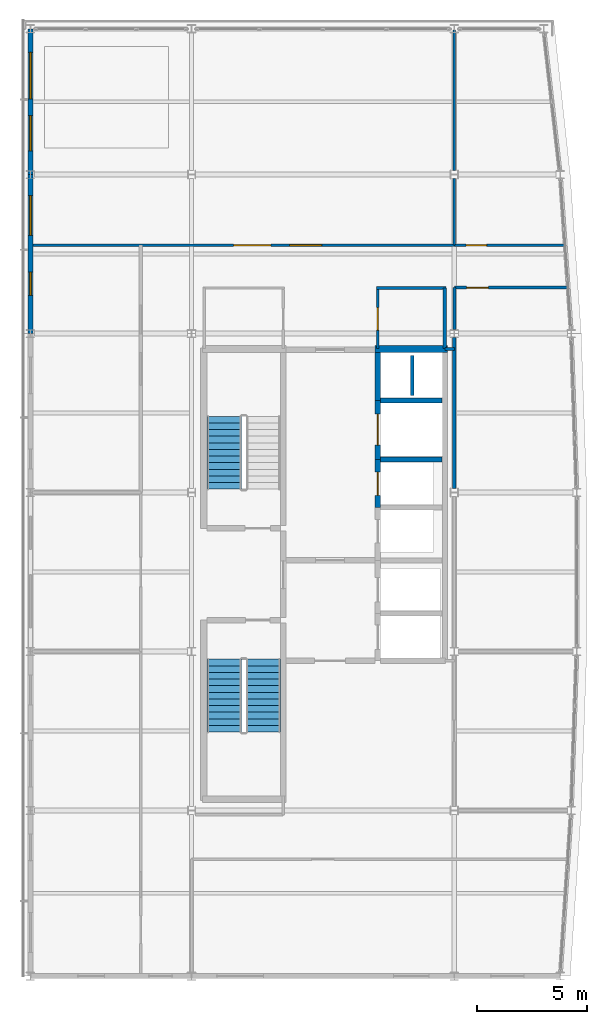
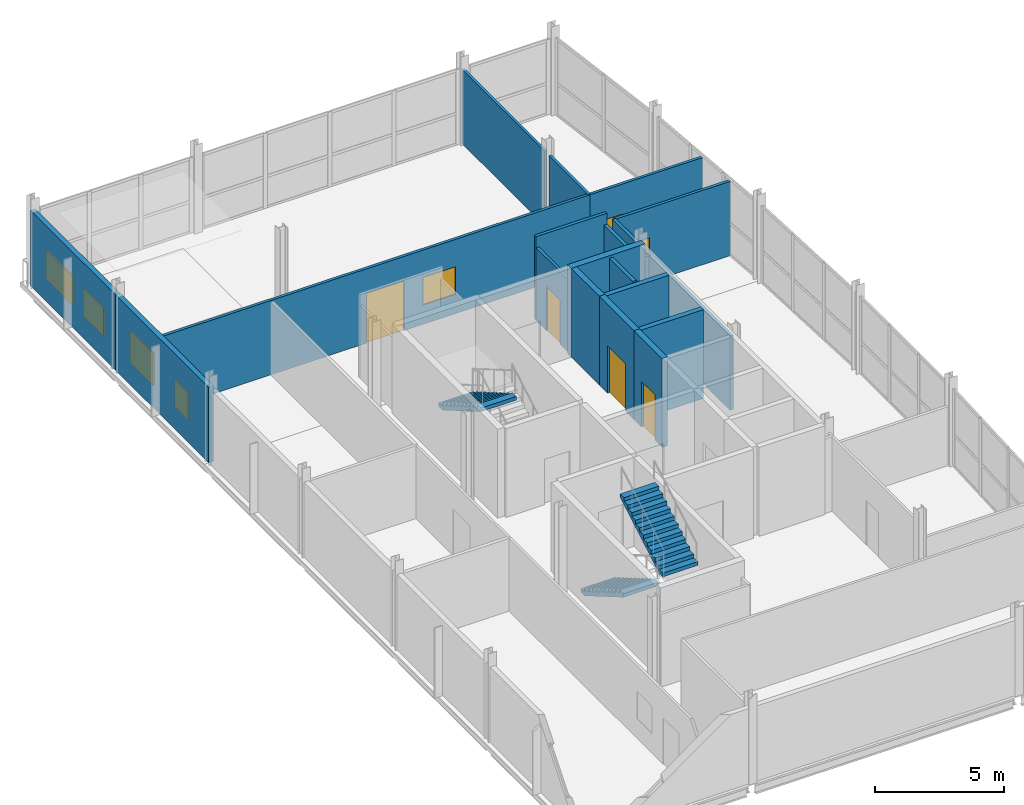
# One storey, part 13 of 17: 20 walls, 6 doors, 5 windows, 3 stair flights, 11 openings, 2 elements without a shape of their own.
"""IFC4 building model written with IfcOpenShell, lengths in metres."""

import ifcopenshell
import ifcopenshell.guid

model = None  # the IFC model being written
_history = None  # IfcOwnerHistory: only IFC2X3 demands one
_inside = {}  # id of a spatial element -> (the spatial element, [elements in it])
_under = {}  # id of a project, library or spatial element -> (it, [spatial elements below it])
_declared = {}  # id of a project -> (the project, [libraries it declares])
_typed = {}  # id of a type object -> (the type object, [elements of that type])
_made_of = {}  # id of a material, layer set ... -> (it, [elements and type objects made of it])


def new_model(schema):
    """Start an empty IFC model of exactly this schema.

    Asked for "IFC4X3", IfcOpenShell would pick the latest addendum, in which some entities
    have other attributes; the version numbers below select the first issue.
    IFC2X3 requires an IfcOwnerHistory on every rooted entity: one is made here for all.
    """
    global model, _history
    if schema == "IFC4X3":
        model = ifcopenshell.file(schema_version=(4, 3, 0, 0))
    else:
        model = ifcopenshell.file(schema=schema)
    _inside.clear()
    _under.clear()
    _declared.clear()
    _typed.clear()
    _made_of.clear()
    _history = None
    if model.schema == "IFC2X3":
        org = make("IfcOrganization", Name="unknown")
        user = make(
            "IfcPersonAndOrganization",
            ThePerson=make("IfcPerson", FamilyName="unknown"),
            TheOrganization=org,
        )
        app = make(
            "IfcApplication",
            ApplicationDeveloper=org,
            Version="unknown",
            ApplicationFullName="unknown",
            ApplicationIdentifier="unknown",
        )
        _history = make(
            "IfcOwnerHistory",
            OwningUser=user,
            OwningApplication=app,
            ChangeAction="ADDED",
            CreationDate=0,
        )
    return model


def make(cls, **values):
    """One entity of the class cls with the attributes given. An attribute that is None is left unset."""
    return model.create_entity(
        cls, **{name: value for name, value in values.items() if value is not None}
    )


def rooted(cls, **values):
    """An entity with a GlobalId (a new one), such as an element, a storey or a relation."""
    return make(cls, GlobalId=ifcopenshell.guid.new(), OwnerHistory=_history, **values)


def si_unit(unit_type, name, prefix=None):
    """IfcSIUnit, for example si_unit("LENGTHUNIT", "METRE", prefix="MILLI")."""
    return make("IfcSIUnit", UnitType=unit_type, Prefix=prefix, Name=name)


def assignment(units):
    """IfcUnitAssignment: the units of a project."""
    return None if units is None else make("IfcUnitAssignment", Units=units)


def point(xyz):
    """IfcCartesianPoint."""
    return None if xyz is None else make("IfcCartesianPoint", Coordinates=xyz)


def direction(xyz):
    """IfcDirection."""
    return None if xyz is None else make("IfcDirection", DirectionRatios=xyz)


def frame(location, z_axis=None, x_axis=None):
    """IfcAxis2Placement3D, a coordinate frame: its origin and axes. An axis left out is left unset."""
    return make(
        "IfcAxis2Placement3D",
        Location=point(location),
        Axis=direction(z_axis),
        RefDirection=direction(x_axis),
    )


def frame_2d(location, x_axis=None):
    """IfcAxis2Placement2D, a coordinate frame in the plane: its origin and x axis."""
    return make(
        "IfcAxis2Placement2D", Location=point(location), RefDirection=direction(x_axis)
    )


def origin():
    """The frame at (0, 0, 0) with its axes left unset."""
    return frame((0.0, 0.0, 0.0))


def place(relative_to, where):
    """IfcLocalPlacement: puts the frame where relative to a parent placement (None: the world)."""
    return make(
        "IfcLocalPlacement", PlacementRelTo=relative_to, RelativePlacement=where
    )


def context(
    kind, dimensions, precision=None, world=None, true_north=None, identifier=None
):
    """IfcGeometricRepresentationContext, for example the 3D "Model" context."""
    return make(
        "IfcGeometricRepresentationContext",
        ContextIdentifier=identifier,
        ContextType=kind,
        CoordinateSpaceDimension=dimensions,
        Precision=precision,
        WorldCoordinateSystem=world,
        TrueNorth=true_north,
    )


def subcontext(parent, identifier, kind, view, scale=None):
    """IfcGeometricRepresentationSubContext, for example "Body" below "Model"."""
    return make(
        "IfcGeometricRepresentationSubContext",
        ContextIdentifier=identifier,
        ContextType=kind,
        ParentContext=parent,
        TargetScale=scale,
        TargetView=view,
    )


def project(units=None, contexts=None):
    """IfcProject with its units and contexts."""
    return rooted(
        "IfcProject",
        Name="project",
        RepresentationContexts=contexts,
        UnitsInContext=assignment(units),
    )


def spatial(cls, under=None, at=None, **own):
    """A site, building, storey or space (cls), placed at a placement, below another one or the project."""
    s = rooted(cls, ObjectPlacement=at, **own)
    if under is not None:
        _under.setdefault(under.id(), (under, []))[1].append(s)
    return s


def polyline(points):
    """IfcPolyline through the points."""
    return make("IfcPolyline", Points=[point(p) for p in points])


def profile(cls, at=None, kind="AREA", **sizes):
    """A parametric profile (cls). Its sizes go by their IFC names, for example OverallWidth=200.0."""
    return make(cls, ProfileType=kind, Position=at, **sizes)


def rectangle(**sizes):
    """IfcRectangleProfileDef."""
    return profile("IfcRectangleProfileDef", **sizes)


def outline(outer, holes=None, kind="AREA"):
    """IfcArbitraryClosedProfileDef: a profile drawn as a closed curve; with holes, ...WithVoids."""
    if holes is None:
        return make("IfcArbitraryClosedProfileDef", ProfileType=kind, OuterCurve=outer)
    return make(
        "IfcArbitraryProfileDefWithVoids",
        ProfileType=kind,
        OuterCurve=outer,
        InnerCurves=holes,
    )


def extrude(swept, where, along, depth):
    """IfcExtrudedAreaSolid: the profile swept, set in the frame where, extruded along a direction by depth."""
    return make(
        "IfcExtrudedAreaSolid",
        SweptArea=swept,
        Position=where,
        ExtrudedDirection=direction(along),
        Depth=depth,
    )


def shape(context_of_items, identifier, shape_type, items):
    """IfcShapeRepresentation: the items that make up one representation, for example the "Body"."""
    return make(
        "IfcShapeRepresentation",
        ContextOfItems=context_of_items,
        RepresentationIdentifier=identifier,
        RepresentationType=shape_type,
        Items=items,
    )


def material(Name=None, Category=None):
    """IfcMaterial."""
    return make("IfcMaterial", Name=Name, Category=Category)


def layer(
    of_material, thickness, ventilated=None, Name=None, Category=None, Priority=None
):
    """IfcMaterialLayer: one layer of a wall or slab, of a material (None: an air gap)."""
    return make(
        "IfcMaterialLayer",
        Material=of_material,
        LayerThickness=thickness,
        IsVentilated=ventilated,
        Name=Name,
        Category=Category,
        Priority=Priority,
    )


def layer_set(layers, Name=None):
    """IfcMaterialLayerSet."""
    return make("IfcMaterialLayerSet", MaterialLayers=layers, LayerSetName=Name)


def made_of(thing, what):
    """Note that an element or type object is made of a material, layer set ...; save() writes the relation."""
    if what is not None:
        _made_of.setdefault(what.id(), (what, []))[1].append(thing)
    return thing


def type_object(cls, material=None, **own):
    """A type object (cls), such as IfcWallType, which elements share."""
    return made_of(rooted(cls, **own), material)


def element(
    cls,
    number,
    at=None,
    inside=None,
    cuts=None,
    type_object=None,
    material=None,
    context=None,
    identifier="Body",
    shape_type=None,
    held_by="IfcProductDefinitionShape",
    body=None,
    shapes=None,
    **own,
):
    """One element of the class cls, such as IfcWall. Its Tag is "e" and its number.

    at: its placement. inside: the storey or other place that contains it. cuts: it is an
    opening in that element (IfcRelVoidsElement). A single representation is given by context,
    identifier, shape_type and body (its items); several are given by shapes. held_by: the class
    of the entity that holds the representations. save() writes the other relations.
    """
    e = rooted(cls, Tag="e%d" % number, ObjectPlacement=at, **own)
    if body is not None:
        shapes = [shape(context, identifier, shape_type, body)]
    if shapes is not None:
        e.Representation = make(held_by, Representations=shapes)
    if inside is not None:
        _inside.setdefault(inside.id(), (inside, []))[1].append(e)
    if cuts is not None:
        rooted(
            "IfcRelVoidsElement", RelatingBuildingElement=cuts, RelatedOpeningElement=e
        )
    if type_object is not None:
        _typed.setdefault(type_object.id(), (type_object, []))[1].append(e)
    return made_of(e, material)


def fill(opening, filler):
    """IfcRelFillsElement: the door or window that sits in an opening."""
    return rooted(
        "IfcRelFillsElement",
        RelatingOpeningElement=opening,
        RelatedBuildingElement=filler,
    )


def aggregate(whole, parts):
    """IfcRelAggregates: a whole, such as a stair, and the parts it consists of."""
    return rooted("IfcRelAggregates", RelatingObject=whole, RelatedObjects=parts)


def save(model, path):
    """Write the relations noted so far, then the file.

    IfcRelAggregates (storeys below a building ...), IfcRelContainedInSpatialStructure (elements
    in a storey), IfcRelDefinesByType, IfcRelAssociatesMaterial and IfcRelDeclares: one each for
    every whole, place, type object, material and project.
    """
    for whole, parts in _under.values():
        aggregate(whole, parts)
    for where, things in _inside.values():
        rooted(
            "IfcRelContainedInSpatialStructure",
            RelatedElements=things,
            RelatingStructure=where,
        )
    for kind, things in _typed.values():
        rooted("IfcRelDefinesByType", RelatedObjects=things, RelatingType=kind)
    for what, things in _made_of.values():
        rooted("IfcRelAssociatesMaterial", RelatedObjects=things, RelatingMaterial=what)
    for by, libraries in _declared.values():
        rooted("IfcRelDeclares", RelatingContext=by, RelatedDefinitions=libraries)
    model.write(path)


model = new_model("IFC4")

# Units and contexts
model_context = context("Model", 3, precision=1e-05, world=origin(), true_north=direction((0.0, 1.0)))
body_context = subcontext(model_context, "Body", "Model", "MODEL_VIEW")
ifc_project = project(units=[si_unit("LENGTHUNIT", "METRE"), si_unit("AREAUNIT", "SQUARE_METRE"), si_unit("VOLUMEUNIT", "CUBIC_METRE"), si_unit("PLANEANGLEUNIT", "RADIAN"), si_unit("MASSUNIT", "GRAM", prefix="KILO")], contexts=[model_context])

# Site, building, storey
site_placement = place(None, origin())
site = spatial("IfcSite", under=ifc_project, at=site_placement, CompositionType="ELEMENT")
building_placement = place(site_placement, origin())
building = spatial("IfcBuilding", under=site, at=building_placement, Name="Quillay Park Conservatory", CompositionType="ELEMENT")
storey_placement = place(building_placement, frame((0.0, 0.0, 56.10009765625)))
storey = spatial("IfcBuildingStorey", under=building, at=storey_placement, Name="L13", CompositionType="ELEMENT", Elevation=56.10009765625)

# Walls
ifc_material_1 = material(Name="Steel-Stud Acoustic Gypsum Board Partition", Category="steel")
ifc_layer_1 = layer(ifc_material_1, 0.110107421875)
ifc_layer_set_1 = layer_set([ifc_layer_1], Name="ACOUSTIC GYPSUM PARTITION 110 (Steel-Stud Acoustic Gypsum Board Partition)")
wall_type_1 = type_object("IfcWallType", Name="ACOUSTIC GYPSUM PARTITION 110", PredefinedType="PARTITIONING", material=ifc_layer_set_1)
wall_1_placement = place(storey_placement, frame((19.75, 113.35009765625, 0.0), z_axis=(0.0, 0.0, 1.0), x_axis=(0.0, -1.0, 0.0)))
element("IfcWall", 1, at=wall_1_placement, inside=storey, type_object=wall_type_1, Name="L13 North Divider 19 N", PredefinedType="PARTITIONING", context=body_context, shape_type="SweptSolid", body=[
    extrude(rectangle(XDim=6.37060546875, YDim=0.110107421875, at=frame_2d((3.185302734375, 0.0))), origin(), (0.0, 0.0, 1.0), 3.511962890625),
])
ifc_material_2 = material(Name="Steel-Stud Acoustic Gypsum Board Partition", Category="steel")
ifc_layer_2 = layer(ifc_material_2, 0.114990234375)
ifc_layer_set_2 = layer_set([ifc_layer_2], Name="ACOUSTIC GYPSUM PARTITION 115 (Steel-Stud Acoustic Gypsum Board Partition)")
wall_type_2 = type_object("IfcWallType", Name="ACOUSTIC GYPSUM PARTITION 115", PredefinedType="PARTITIONING", material=ifc_layer_set_2)
wall_2_placement = place(storey_placement, frame((19.75, 106.62060546875, 0.0), z_axis=(0.0, 0.0, 1.0), x_axis=(0.0, -1.0, 0.0)))
element("IfcWall", 2, at=wall_2_placement, inside=storey, type_object=wall_type_2, Name="L13 North Divider 19 S", PredefinedType="PARTITIONING", context=body_context, shape_type="SweptSolid", body=[
    extrude(rectangle(XDim=3.0205078125, YDim=0.114990234375, at=frame_2d((1.51025390625, 0.0))), origin(), (0.0, 0.0, 1.0), 3.511962890625),
])

# Wall, opening, door
ifc_material_3 = material(Name="Steel-Stud Acoustic Gypsum Board Partition", Category="steel")
ifc_layer_3 = layer(ifc_material_3, 0.1201171875)
ifc_layer_set_3 = layer_set([ifc_layer_3], Name="ACOUSTIC GYPSUM PARTITION 120 (Steel-Stud Acoustic Gypsum Board Partition)")
wall_type_3 = type_object("IfcWallType", Name="ACOUSTIC GYPSUM PARTITION 120", PredefinedType="PARTITIONING", material=ifc_layer_set_3)
wall_3_placement = place(storey_placement, frame((19.75, 103.60009765625, 0.0), z_axis=(0.0, 0.0, 1.0), x_axis=(1.0, 0.0, 0.0)))
wall_3 = element("IfcWall", 3, at=wall_3_placement, inside=storey, type_object=wall_type_3, Name="L13 L13 Digital Type-Specimen Gazetteer Room South Wall", PredefinedType="PARTITIONING", context=body_context, shape_type="SweptSolid", body=[
    extrude(rectangle(XDim=5.0400390625, YDim=0.1201171875, at=frame_2d((2.52001953125, 0.0))), origin(), (0.0, 0.0, 1.0), 3.511962890625),
])
opening_1_placement = place(wall_3_placement, frame((0.5400390625, 0.0, 0.0)))
opening_1 = element("IfcOpeningElement", 4, at=opening_1_placement, cuts=wall_3, Name="Opening D-RM01", PredefinedType="OPENING", context=body_context, shape_type="SweptSolid", body=[
    extrude(rectangle(XDim=0.919921875, YDim=2.10009765625, at=frame_2d((0.4599609375, 1.050048828125))), frame((0.0, 0.06005859375, 0.0), z_axis=(0.0, -1.0, 0.0), x_axis=(1.0, 0.0, 0.0)), (0.0, 0.0, 1.0), 0.1201171875),
])
ifc_material_4 = material(Name="Thermally Broken Anodised Aluminium 6063-T6", Category="aluminium")
door_type_1 = type_object("IfcDoorType", Name="SINGLE SWING DOOR 920 X2100", OperationType="NOTDEFINED", PredefinedType="DOOR", material=ifc_material_4)
door_1_placement = place(opening_1_placement, origin())
door_1 = element("IfcDoor", 5, at=door_1_placement, inside=storey, type_object=door_type_1, Name="L13 Door to L13 Digital Type-Specimen Gazetteer Room", OperationType="SINGLE_SWING_LEFT", OverallHeight=2.10009765625, OverallWidth=0.919921875, PredefinedType="DOOR", context=body_context, shape_type="SweptSolid", body=[
    extrude(rectangle(XDim=0.919921875, YDim=2.10009765625, at=frame_2d((0.4599609375, 1.050048828125))), frame((0.0, 0.02490234375, 0.0), z_axis=(0.0, -1.0, 0.0), x_axis=(1.0, 0.0, 0.0)), (0.0, 0.0, 1.0), 0.050048828125),
])
fill(opening_1, door_1)

# Wall
ifc_material_5 = material(Name="Steel-Stud Acoustic Gypsum Board Partition", Category="steel")
ifc_layer_4 = layer(ifc_material_5, 0.125)
ifc_layer_set_4 = layer_set([ifc_layer_4], Name="ACOUSTIC GYPSUM PARTITION 125 (Steel-Stud Acoustic Gypsum Board Partition)")
wall_type_4 = type_object("IfcWallType", Name="ACOUSTIC GYPSUM PARTITION 125", PredefinedType="PARTITIONING", material=ifc_layer_set_4)
wall_4_placement = place(storey_placement, frame((19.75, 98.89990234375, 0.0), z_axis=(0.0, 0.0, 1.0), x_axis=(-1.0, 0.0, 0.0)))
element("IfcWall", 6, at=wall_4_placement, inside=storey, type_object=wall_type_4, Name="L13 Core North-East Closure", PredefinedType="PARTITIONING", context=body_context, shape_type="SweptSolid", body=[
    extrude(rectangle(XDim=0.429931640625, YDim=0.125, at=frame_2d((0.21484375, 0.0))), origin(), (0.0, 0.0, 1.0), 3.511962890625),
])

# Wall, openings, window, door
wall_5_placement = place(storey_placement, frame((0.64990234375, 103.60009765625, 0.0), z_axis=(0.0, 0.0, 1.0), x_axis=(1.0, 0.0, 0.0)))
wall_5 = element("IfcWall", 7, at=wall_5_placement, inside=storey, type_object=wall_type_4, Name="L13 L13 Botanical Fellows GIS Cartography Studio South Wall", PredefinedType="PARTITIONING", context=body_context, shape_type="SweptSolid", body=[
    extrude(rectangle(XDim=19.10009765625, YDim=0.125, at=frame_2d((9.550048828125, 0.0))), origin(), (0.0, 0.0, 1.0), 3.511962890625),
])
opening_2_placement = place(wall_5_placement, frame((9.110107421875, 0.0, 0.0)))
opening_2 = element("IfcOpeningElement", 8, at=opening_2_placement, cuts=wall_5, Name="Opening D-RM38", PredefinedType="OPENING", context=body_context, shape_type="SweptSolid", body=[
    extrude(rectangle(XDim=1.679931640625, YDim=2.35009765625, at=frame_2d((0.83984375, 1.175048828125))), frame((0.0, 0.0625, 0.0), z_axis=(0.0, -1.0, 0.0), x_axis=(1.0, 0.0, 0.0)), (0.0, 0.0, 1.0), 0.125),
])
opening_3_placement = place(wall_5_placement, frame((11.639892578125, 0.0, 0.919921875)))
opening_3 = element("IfcOpeningElement", 9, at=opening_3_placement, cuts=wall_5, Name="Opening W-IN12", PredefinedType="OPENING", context=body_context, shape_type="SweptSolid", body=[
    extrude(rectangle(XDim=1.449951171875, YDim=1.300048828125, at=frame_2d((0.72509765625, 0.64990234375))), frame((0.0, 0.0625, 0.0), z_axis=(0.0, -1.0, 0.0), x_axis=(1.0, 0.0, 0.0)), (0.0, 0.0, 1.0), 0.125),
])
ifc_material_6 = material(Name="Low-E Double Glazing (Laminated Tempered)", Category="glass")
window_type_1 = type_object("IfcWindowType", Name="OPERABLE VENT WINDOW 1450 X1300", PartitioningType="SINGLE_PANEL", PredefinedType="WINDOW", material=ifc_material_6)
window_1_placement = place(opening_3_placement, origin())
window_1 = element("IfcWindow", 10, at=window_1_placement, inside=storey, type_object=window_type_1, Name="L13 Laboratory Vision Panel 048", OverallHeight=1.300048828125, OverallWidth=1.449951171875, PartitioningType="SINGLE_PANEL", PredefinedType="WINDOW", context=body_context, shape_type="SweptSolid", body=[
    extrude(rectangle(XDim=1.449951171875, YDim=1.300048828125, at=frame_2d((0.72509765625, 0.64990234375))), frame((0.0, 0.030029296875, 0.0), z_axis=(0.0, -1.0, 0.0), x_axis=(1.0, 0.0, 0.0)), (0.0, 0.0, 1.0), 0.06005859375),
])
fill(opening_3, window_1)
ifc_material_7 = material(Name="Thermally Broken Anodised Aluminium 6063-T6", Category="aluminium")
door_type_2 = type_object("IfcDoorType", Name="SINGLE SWING DOOR 1680 X2350", OperationType="NOTDEFINED", PredefinedType="DOOR", material=ifc_material_7)
door_2_placement = place(opening_2_placement, origin())
door_2 = element("IfcDoor", 11, at=door_2_placement, inside=storey, type_object=door_type_2, Name="L13 Door to L13 Botanical Fellows GIS Cartography Studio", OperationType="SINGLE_SWING_RIGHT", OverallHeight=2.35009765625, OverallWidth=1.679931640625, PredefinedType="DOOR", context=body_context, shape_type="SweptSolid", body=[
    extrude(rectangle(XDim=1.679931640625, YDim=2.35009765625, at=frame_2d((0.83984375, 1.175048828125))), frame((0.0, 0.02490234375, 0.0), z_axis=(0.0, -1.0, 0.0), x_axis=(1.0, 0.0, 0.0)), (0.0, 0.0, 1.0), 0.050048828125),
])
fill(opening_2, door_2)

# Wall, opening, door
ifc_material_8 = material(Name="Steel-Stud Acoustic Gypsum Board Partition", Category="steel")
ifc_layer_5 = layer(ifc_material_8, 0.1298828125)
ifc_layer_set_5 = layer_set([ifc_layer_5], Name="ACOUSTIC GYPSUM PARTITION 130 (Steel-Stud Acoustic Gypsum Board Partition)")
wall_type_5 = type_object("IfcWallType", Name="ACOUSTIC GYPSUM PARTITION 130", PredefinedType="PARTITIONING", material=ifc_layer_set_5)
wall_6_placement = place(storey_placement, frame((16.280029296875, 98.919921875, 0.0), z_axis=(0.0, 0.0, 1.0), x_axis=(0.0, 1.0, 0.0)))
wall_6 = element("IfcWall", 12, at=wall_6_placement, inside=storey, type_object=wall_type_5, Name="L13 Washroom Door Wall", PredefinedType="PARTITIONING", context=body_context, shape_type="SweptSolid", body=[
    extrude(rectangle(XDim=2.68017578125, YDim=0.1298828125, at=frame_2d((1.340087890625, 0.0))), origin(), (0.0, 0.0, 1.0), 3.435791015625),
])
opening_4_placement = place(wall_6_placement, frame((0.830078125, 0.0, 0.0)))
opening_4 = element("IfcOpeningElement", 13, at=opening_4_placement, cuts=wall_6, Name="Opening D-RM33", PredefinedType="OPENING", context=body_context, shape_type="SweptSolid", body=[
    extrude(rectangle(XDim=1.02001953125, YDim=2.080078125, at=frame_2d((0.510009765625, 1.0400390625))), frame((0.0, 0.06494140625, 0.0), z_axis=(0.0, -1.0, 0.0), x_axis=(1.0, 0.0, 0.0)), (0.0, 0.0, 1.0), 0.1298828125),
])
ifc_material_9 = material(Name="Thermally Broken Anodised Aluminium 6063-T6", Category="aluminium")
door_type_3 = type_object("IfcDoorType", Name="SINGLE SWING DOOR 1020 X2080", OperationType="NOTDEFINED", PredefinedType="DOOR", material=ifc_material_9)
door_3_placement = place(opening_4_placement, origin())
door_3 = element("IfcDoor", 14, at=door_3_placement, inside=storey, type_object=door_type_3, Name="L13 Door to L13 Restroom and Washroom", OperationType="SINGLE_SWING_RIGHT", OverallHeight=2.080078125, OverallWidth=1.02001953125, PredefinedType="DOOR", context=body_context, shape_type="SweptSolid", body=[
    extrude(rectangle(XDim=1.02001953125, YDim=2.080078125, at=frame_2d((0.510009765625, 1.0400390625))), frame((0.0, 0.02490234375, 0.0), z_axis=(0.0, -1.0, 0.0), x_axis=(1.0, 0.0, 0.0)), (0.0, 0.0, 1.0), 0.050048828125),
])
fill(opening_4, door_3)

wall_7_placement = place(storey_placement, frame((19.75, 101.679931640625, 0.0), z_axis=(0.0, 0.0, 1.0), x_axis=(1.0, 0.0, 0.0)))
wall_7 = element("IfcWall", 15, at=wall_7_placement, inside=storey, type_object=wall_type_5, Name="L13 L13 Remote Sensing Phenology Laboratory North Door Wall", PredefinedType="PARTITIONING", context=body_context, shape_type="SweptSolid", body=[
    extrude(rectangle(XDim=5.1650390625, YDim=0.1298828125, at=frame_2d((2.58251953125, 0.0))), origin(), (0.0, 0.0, 1.0), 3.511962890625),
])
opening_5_placement = place(wall_7_placement, frame((0.56005859375, 0.0, 0.0)))
opening_5 = element("IfcOpeningElement", 16, at=opening_5_placement, cuts=wall_7, Name="Opening D-RM03", PredefinedType="OPENING", context=body_context, shape_type="SweptSolid", body=[
    extrude(rectangle(XDim=0.97998046875, YDim=2.10009765625, at=frame_2d((0.489990234375, 1.050048828125))), frame((0.0, 0.06494140625, 0.0), z_axis=(0.0, -1.0, 0.0), x_axis=(1.0, 0.0, 0.0)), (0.0, 0.0, 1.0), 0.1298828125),
])
ifc_material_10 = material(Name="Thermally Broken Anodised Aluminium 6063-T6", Category="aluminium")
door_type_4 = type_object("IfcDoorType", Name="SINGLE SWING DOOR 980 X2100", OperationType="NOTDEFINED", PredefinedType="DOOR", material=ifc_material_10)
door_4_placement = place(opening_5_placement, origin())
door_4 = element("IfcDoor", 17, at=door_4_placement, inside=storey, type_object=door_type_4, Name="L13 Door to L13 Remote Sensing Phenology Laboratory", OperationType="SINGLE_SWING_LEFT", OverallHeight=2.10009765625, OverallWidth=0.97998046875, PredefinedType="DOOR", context=body_context, shape_type="SweptSolid", body=[
    extrude(rectangle(XDim=0.97998046875, YDim=2.10009765625, at=frame_2d((0.489990234375, 1.050048828125))), frame((0.0, 0.02490234375, 0.0), z_axis=(0.0, -1.0, 0.0), x_axis=(1.0, 0.0, 0.0)), (0.0, 0.0, 1.0), 0.050048828125),
])
fill(opening_5, door_4)

# Walls
ifc_material_11 = material(Name="Steel-Stud Acoustic Gypsum Board Partition", Category="steel")
ifc_layer_6 = layer(ifc_material_11, 0.139892578125)
ifc_layer_set_6 = layer_set([ifc_layer_6], Name="ACOUSTIC GYPSUM PARTITION 140 (Steel-Stud Acoustic Gypsum Board Partition)")
wall_type_6 = type_object("IfcWallType", Name="ACOUSTIC GYPSUM PARTITION 140", PredefinedType="PARTITIONING", material=ifc_layer_set_6)
wall_8_placement = place(storey_placement, frame((19.3798828125, 101.659912109375, 0.0), z_axis=(0.0, 0.0, 1.0), x_axis=(-1.0, 0.0, 0.0)))
element("IfcWall", 18, at=wall_8_placement, inside=storey, type_object=wall_type_6, Name="L13 Washroom North Wall", PredefinedType="PARTITIONING", context=body_context, shape_type="SweptSolid", body=[
    extrude(rectangle(XDim=3.159912109375, YDim=0.139892578125, at=frame_2d((1.580078125, 0.0))), origin(), (0.0, 0.0, 1.0), 3.949951171875),
])
wall_9_placement = place(storey_placement, frame((19.75, 99.77294921875, 0.0), z_axis=(0.0, 0.0, 1.0), x_axis=(0.0, 1.0, 0.0)))
element("IfcWall", 19, at=wall_9_placement, inside=storey, type_object=wall_type_6, Name="L13 L13 Remote Sensing Phenology Laboratory West Wall 3", PredefinedType="PARTITIONING", context=body_context, shape_type="SweptSolid", body=[
    extrude(rectangle(XDim=1.906982421875, YDim=0.139892578125, at=frame_2d((0.95361328125, 0.0))), origin(), (0.0, 0.0, 1.0), 3.511962890625),
])
ifc_material_12 = material(Name="Steel-Stud Acoustic Gypsum Board Partition", Category="steel")
ifc_layer_7 = layer(ifc_material_12, 0.14990234375)
ifc_layer_set_7 = layer_set([ifc_layer_7], Name="ACOUSTIC GYPSUM PARTITION 150 (Steel-Stud Acoustic Gypsum Board Partition)")
wall_type_7 = type_object("IfcWallType", Name="ACOUSTIC GYPSUM PARTITION 150", PredefinedType="PARTITIONING", material=ifc_layer_set_7)
wall_10_placement = place(storey_placement, frame((19.320068359375, 98.919921875, 0.0), z_axis=(0.0, 0.0, 1.0), x_axis=(0.0, 1.0, 0.0)))
element("IfcWall", 20, at=wall_10_placement, inside=storey, type_object=wall_type_7, Name="L13 Washroom East Wall", PredefinedType="PARTITIONING", context=body_context, shape_type="SweptSolid", body=[
    extrude(rectangle(XDim=2.739990234375, YDim=0.14990234375, at=frame_2d((1.3701171875, 0.0))), origin(), (0.0, 0.0, 1.0), 3.435791015625),
])
wall_11_placement = place(storey_placement, frame((19.75, 92.57958984375, 0.0), z_axis=(0.0, 0.0, 1.0), x_axis=(0.0, 1.0, 0.0)))
element("IfcWall", 21, at=wall_11_placement, inside=storey, type_object=wall_type_7, Name="L13 L13 Remote Sensing Phenology Laboratory West Wall 2", PredefinedType="PARTITIONING", context=body_context, shape_type="SweptSolid", body=[
    extrude(rectangle(XDim=6.847412109375, YDim=0.14990234375, at=frame_2d((3.423828125, 0.0))), origin(), (0.0, 0.0, 1.0), 3.511962890625),
])
ifc_material_13 = material(Name="Concrete C35/45 (NCh170 Concrete C35/45)", Category="concrete")
ifc_layer_8 = layer(ifc_material_13, 0.22509765625)
ifc_layer_set_8 = layer_set([ifc_layer_8], Name="CORE SHEAR WALL 225 (Concrete C35/45 (NCh170 Concrete C35/45))")
wall_type_8 = type_object("IfcWallType", Name="CORE SHEAR WALL 225", PredefinedType="SHEAR", material=ifc_layer_set_8)
for number, where, z_axis, x_axis, name in (
    (22, (16.39990234375, 93.89990234375, 0.0), (0.0, 0.0, 1.0), (1.0, 0.0, 0.0), "L13 Core Shear Wall WL-LFDIV-L13-939"),
    (23, (16.39990234375, 96.574951171875, 0.0), (0.0, 0.0, 1.0), (1.0, 0.0, 0.0), "L13 Core Shear Wall WL-LFDIV-L13-965"),
):
    element("IfcWall", number, at=place(storey_placement, frame(where, z_axis=z_axis, x_axis=x_axis)), inside=storey, type_object=wall_type_8, Name=name, PredefinedType="SHEAR", context=body_context, shape_type="SweptSolid", body=[
        extrude(rectangle(XDim=2.800048828125, YDim=0.22509765625, at=frame_2d((1.39990234375, 0.0))), origin(), (0.0, 0.0, 1.0), 4.199951171875),
    ])

# Wall, opening, door
ifc_material_14 = material(Name="Concrete C40/50 (NCh170 Concrete C40/50)", Category="concrete")
ifc_layer_9 = layer(ifc_material_14, 0.25)
ifc_layer_set_9 = layer_set([ifc_layer_9], Name="CORE SHEAR WALL 250 (Concrete C40/50 (NCh170 Concrete C40/50))")
wall_type_9 = type_object("IfcWallType", Name="CORE SHEAR WALL 250", PredefinedType="SHEAR", material=ifc_layer_set_9)
wall_12_placement = place(storey_placement, frame((16.27490234375, 91.72509765625, 0.0), z_axis=(0.0, 0.0, 1.0), x_axis=(0.0, 1.0, 0.0)))
wall_12 = element("IfcWall", 24, at=wall_12_placement, inside=storey, type_object=wall_type_9, Name="L13 Core Shear Wall WL-LFFR-L13-LF-P2", PredefinedType="SHEAR", context=body_context, shape_type="SweptSolid", body=[
    extrude(rectangle(XDim=2.1748046875, YDim=0.25, at=frame_2d((1.08740234375, 0.0))), origin(), (0.0, 0.0, 1.0), 4.199951171875),
])
opening_6_placement = place(wall_12_placement, frame((0.550048828125, 0.0, 0.0)))
opening_6 = element("IfcOpeningElement", 25, at=opening_6_placement, cuts=wall_12, Name="Opening LD02", PredefinedType="OPENING", context=body_context, shape_type="SweptSolid", body=[
    extrude(rectangle(XDim=1.050048828125, YDim=2.14990234375, at=frame_2d((0.52490234375, 1.074951171875))), frame((0.0, 0.125, 0.0), z_axis=(0.0, -1.0, 0.0), x_axis=(1.0, 0.0, 0.0)), (0.0, 0.0, 1.0), 0.25),
])
ifc_material_15 = material(Name="Steel ASTM A572 Grade 50", Category="steel")
door_type_5 = type_object("IfcDoorType", Name="LIFT LANDING SLIDING DOOR 1050 X2150", OperationType="NOTDEFINED", PredefinedType="DOOR", material=ifc_material_15)
door_5_placement = place(opening_6_placement, origin())
door_5 = element("IfcDoor", 26, at=door_5_placement, inside=storey, type_object=door_type_5, Name="L13 LF-P2 Lift Landing Door LD02", OperationType="SLIDING_TO_LEFT", OverallHeight=2.14990234375, OverallWidth=1.050048828125, PredefinedType="DOOR", context=body_context, shape_type="SweptSolid", body=[
    extrude(rectangle(XDim=1.050048828125, YDim=2.14990234375, at=frame_2d((0.52490234375, 1.074951171875))), frame((0.0, 0.02490234375, 0.0), z_axis=(0.0, -1.0, 0.0), x_axis=(1.0, 0.0, 0.0)), (0.0, 0.0, 1.0), 0.050048828125),
])
fill(opening_6, door_5)

wall_13_placement = place(storey_placement, frame((16.27490234375, 93.89990234375, 0.0), z_axis=(0.0, 0.0, 1.0), x_axis=(0.0, 1.0, 0.0)))
wall_13 = element("IfcWall", 27, at=wall_13_placement, inside=storey, type_object=wall_type_9, Name="L13 Core Shear Wall WL-LFFR-L13-LF-G1", PredefinedType="SHEAR", context=body_context, shape_type="SweptSolid", body=[
    extrude(rectangle(XDim=2.675048828125, YDim=0.25, at=frame_2d((1.33740234375, 0.0))), origin(), (0.0, 0.0, 1.0), 4.199951171875),
])
opening_7_placement = place(wall_13_placement, frame((0.64990234375, 0.0, 0.0)))
opening_7 = element("IfcOpeningElement", 28, at=opening_7_placement, cuts=wall_13, Name="Opening LD03", PredefinedType="OPENING", context=body_context, shape_type="SweptSolid", body=[
    extrude(rectangle(XDim=1.39990234375, YDim=2.25, at=frame_2d((0.699951171875, 1.125))), frame((0.0, 0.125, 0.0), z_axis=(0.0, -1.0, 0.0), x_axis=(1.0, 0.0, 0.0)), (0.0, 0.0, 1.0), 0.25),
])
ifc_material_16 = material(Name="Steel ASTM A572 Grade 50", Category="steel")
door_type_6 = type_object("IfcDoorType", Name="LIFT LANDING SLIDING DOOR 1400 X2250", OperationType="NOTDEFINED", PredefinedType="DOOR", material=ifc_material_16)
door_6_placement = place(opening_7_placement, origin())
door_6 = element("IfcDoor", 29, at=door_6_placement, inside=storey, type_object=door_type_6, Name="L13 LF-G1 Lift Landing Door LD03", OperationType="SLIDING_TO_LEFT", OverallHeight=2.25, OverallWidth=1.39990234375, PredefinedType="DOOR", context=body_context, shape_type="SweptSolid", body=[
    extrude(rectangle(XDim=1.39990234375, YDim=2.25, at=frame_2d((0.699951171875, 1.125))), frame((0.0, 0.02490234375, 0.0), z_axis=(0.0, -1.0, 0.0), x_axis=(1.0, 0.0, 0.0)), (0.0, 0.0, 1.0), 0.050048828125),
])
fill(opening_7, door_6)

# Walls
wall_14_placement = place(storey_placement, frame((16.27490234375, 96.574951171875, 0.0), z_axis=(0.0, 0.0, 1.0), x_axis=(0.0, 1.0, 0.0)))
element("IfcWall", 30, at=wall_14_placement, inside=storey, type_object=wall_type_9, Name="L13 Core Shear Wall WL-MEPR-L13", PredefinedType="SHEAR", context=body_context, shape_type="SweptSolid", body=[
    extrude(rectangle(XDim=2.175048828125, YDim=0.25, at=frame_2d((1.08740234375, 0.0))), origin(), (0.0, 0.0, 1.0), 4.199951171875),
])
ifc_material_17 = material(Name="Concrete C40/50 (NCh170 Concrete C40/50)", Category="concrete")
ifc_layer_10 = layer(ifc_material_17, 0.300048828125)
ifc_layer_set_10 = layer_set([ifc_layer_10], Name="CORE SHEAR WALL 300 (Concrete C40/50 (NCh170 Concrete C40/50))")
wall_type_10 = type_object("IfcWallType", Name="CORE SHEAR WALL 300", PredefinedType="SHEAR", material=ifc_layer_set_10)
wall_15_placement = place(storey_placement, frame((16.14990234375, 98.89990234375, 0.0), z_axis=(0.0, 0.0, 1.0), x_axis=(1.0, 0.0, 0.0)))
element("IfcWall", 31, at=wall_15_placement, inside=storey, type_object=wall_type_10, Name="L13 Core Shear Wall WL-TCN-E-L13", PredefinedType="SHEAR", context=body_context, shape_type="SweptSolid", body=[
    extrude(rectangle(XDim=3.300048828125, YDim=0.300048828125, at=frame_2d((1.64990234375, 0.0))), origin(), (0.0, 0.0, 1.0), 4.199951171875),
])

# Wall, openings, windows
ifc_material_18 = material(Name="Glass-Fibre Reinforced Concrete (GRC) Cladding", Category="concrete")
ifc_layer_11 = layer(ifc_material_18, 0.219970703125)
ifc_layer_set_11 = layer_set([ifc_layer_11], Name="EXTERIOR SOLID WALL 220 (Glass-Fibre Reinforced Concrete (GRC) Cladding)")
wall_type_11 = type_object("IfcWallType", Name="EXTERIOR SOLID WALL 220", PredefinedType="SOLIDWALL", material=ifc_layer_set_11)
wall_16_placement = place(storey_placement, frame((0.550048828125, 99.60009765625, 0.0), z_axis=(0.0, 0.0, 1.0), x_axis=(0.0, 1.0, 0.0)))
wall_16 = element("IfcWall", 32, at=wall_16_placement, inside=storey, type_object=wall_type_11, Name="L13 External Wall WL-EXT-V4W-L13-4", PredefinedType="SOLIDWALL", context=body_context, shape_type="SweptSolid", body=[
    extrude(rectangle(XDim=7.199951171875, YDim=0.219970703125, at=frame_2d((3.60009765625, 0.0))), origin(), (0.0, 0.0, 1.0), 3.56201171875),
])
opening_8_placement = place(wall_16_placement, frame((1.72998046875, 0.0, 0.919921875)))
opening_8 = element("IfcOpeningElement", 33, at=opening_8_placement, cuts=wall_16, Name="Opening W-18", PredefinedType="OPENING", context=body_context, shape_type="SweptSolid", body=[
    extrude(rectangle(XDim=1.050048828125, YDim=1.300048828125, at=frame_2d((0.52490234375, 0.64990234375))), frame((0.0, 0.10986328125, 0.0), z_axis=(0.0, -1.0, 0.0), x_axis=(1.0, 0.0, 0.0)), (0.0, 0.0, 1.0), 0.219970703125),
])
opening_9_placement = place(wall_16_placement, frame((4.445068359375, 0.0, 0.919921875)))
opening_9 = element("IfcOpeningElement", 34, at=opening_9_placement, cuts=wall_16, Name="Opening W-09", PredefinedType="OPENING", context=body_context, shape_type="SweptSolid", body=[
    extrude(rectangle(XDim=1.800048828125, YDim=1.550048828125, at=frame_2d((0.89990234375, 0.77490234375))), frame((0.0, 0.10986328125, 0.0), z_axis=(0.0, -1.0, 0.0), x_axis=(1.0, 0.0, 0.0)), (0.0, 0.0, 1.0), 0.219970703125),
])
ifc_material_19 = material(Name="Low-E Double Glazing (Laminated Tempered)", Category="glass")
window_type_2 = type_object("IfcWindowType", Name="FIXED CASEMENT WINDOW 1050 X1300", PartitioningType="SINGLE_PANEL", PredefinedType="WINDOW", material=ifc_material_19)
window_2_placement = place(opening_8_placement, origin())
window_2 = element("IfcWindow", 35, at=window_2_placement, inside=storey, type_object=window_type_2, Name="L13 Exterior Window 0295", OverallHeight=1.300048828125, OverallWidth=1.050048828125, PartitioningType="SINGLE_PANEL", PredefinedType="WINDOW", context=body_context, shape_type="SweptSolid", body=[
    extrude(rectangle(XDim=1.050048828125, YDim=1.300048828125, at=frame_2d((0.52490234375, 0.64990234375))), frame((0.0, 0.030029296875, 0.0), z_axis=(0.0, -1.0, 0.0), x_axis=(1.0, 0.0, 0.0)), (0.0, 0.0, 1.0), 0.06005859375),
])
fill(opening_8, window_2)
ifc_material_20 = material(Name="Low-E Double Glazing (Laminated Tempered)", Category="glass")
window_type_3 = type_object("IfcWindowType", Name="FIXED CASEMENT WINDOW 1800 X1550", PartitioningType="DOUBLE_PANEL_VERTICAL", PredefinedType="WINDOW", material=ifc_material_20)
window_3_placement = place(opening_9_placement, origin())
window_3 = element("IfcWindow", 36, at=window_3_placement, inside=storey, type_object=window_type_3, Name="L13 Exterior Window 0296", OverallHeight=1.550048828125, OverallWidth=1.800048828125, PartitioningType="DOUBLE_PANEL_VERTICAL", PredefinedType="WINDOW", context=body_context, shape_type="SweptSolid", body=[
    extrude(rectangle(XDim=1.800048828125, YDim=1.550048828125, at=frame_2d((0.89990234375, 0.77490234375))), frame((0.0, 0.030029296875, 0.0), z_axis=(0.0, -1.0, 0.0), x_axis=(1.0, 0.0, 0.0)), (0.0, 0.0, 1.0), 0.06005859375),
])
fill(opening_9, window_3)

wall_17_placement = place(storey_placement, frame((0.550048828125, 106.800048828125, 0.0), z_axis=(0.0, 0.0, 1.0), x_axis=(0.0, 1.0, 0.0)))
wall_17 = element("IfcWall", 37, at=wall_17_placement, inside=storey, type_object=wall_type_11, Name="L13 External Wall WL-EXT-V4W-L13-5", PredefinedType="SOLIDWALL", context=body_context, shape_type="SweptSolid", body=[
    extrude(rectangle(XDim=6.599853515625, YDim=0.219970703125, at=frame_2d((3.2998046875, 0.0))), origin(), (0.0, 0.0, 1.0), 3.56201171875),
])
opening_10_placement = place(wall_17_placement, frame((1.070068359375, 0.0, 0.919921875)))
opening_10 = element("IfcOpeningElement", 38, at=opening_10_placement, cuts=wall_17, Name="Opening W-19", PredefinedType="OPENING", context=body_context, shape_type="SweptSolid", body=[
    extrude(rectangle(XDim=1.60009765625, YDim=1.35009765625, at=frame_2d((0.800048828125, 0.675048828125))), frame((0.0, 0.10986328125, 0.0), z_axis=(0.0, -1.0, 0.0), x_axis=(1.0, 0.0, 0.0)), (0.0, 0.0, 1.0), 0.219970703125),
])
opening_11_placement = place(wall_17_placement, frame((3.429931640625, 0.0, 0.919921875)))
opening_11 = element("IfcOpeningElement", 39, at=opening_11_placement, cuts=wall_17, Name="Opening W-06", PredefinedType="OPENING", context=body_context, shape_type="SweptSolid", body=[
    extrude(rectangle(XDim=2.10009765625, YDim=1.39990234375, at=frame_2d((1.050048828125, 0.699951171875))), frame((0.0, 0.10986328125, 0.0), z_axis=(0.0, -1.0, 0.0), x_axis=(1.0, 0.0, 0.0)), (0.0, 0.0, 1.0), 0.219970703125),
])
ifc_material_21 = material(Name="Low-E Double Glazing (Laminated Tempered)", Category="glass")
window_type_4 = type_object("IfcWindowType", Name="FIXED CASEMENT WINDOW 1600 X1350", PartitioningType="DOUBLE_PANEL_VERTICAL", PredefinedType="WINDOW", material=ifc_material_21)
window_4_placement = place(opening_10_placement, origin())
window_4 = element("IfcWindow", 40, at=window_4_placement, inside=storey, type_object=window_type_4, Name="L13 Exterior Window 0297", OverallHeight=1.35009765625, OverallWidth=1.60009765625, PartitioningType="DOUBLE_PANEL_VERTICAL", PredefinedType="WINDOW", context=body_context, shape_type="SweptSolid", body=[
    extrude(rectangle(XDim=1.60009765625, YDim=1.35009765625, at=frame_2d((0.800048828125, 0.675048828125))), frame((0.0, 0.030029296875, 0.0), z_axis=(0.0, -1.0, 0.0), x_axis=(1.0, 0.0, 0.0)), (0.0, 0.0, 1.0), 0.06005859375),
])
fill(opening_10, window_4)
ifc_material_22 = material(Name="Low-E Double Glazing (Laminated Tempered)", Category="glass")
window_type_5 = type_object("IfcWindowType", Name="FIXED CASEMENT WINDOW 2100 X1400", PartitioningType="DOUBLE_PANEL_VERTICAL", PredefinedType="WINDOW", material=ifc_material_22)
window_5_placement = place(opening_11_placement, origin())
window_5 = element("IfcWindow", 41, at=window_5_placement, inside=storey, type_object=window_type_5, Name="L13 Exterior Window 0298", OverallHeight=1.39990234375, OverallWidth=2.10009765625, PartitioningType="DOUBLE_PANEL_VERTICAL", PredefinedType="WINDOW", context=body_context, shape_type="SweptSolid", body=[
    extrude(rectangle(XDim=2.10009765625, YDim=1.39990234375, at=frame_2d((1.050048828125, 0.699951171875))), frame((0.0, 0.030029296875, 0.0), z_axis=(0.0, -1.0, 0.0), x_axis=(1.0, 0.0, 0.0)), (0.0, 0.0, 1.0), 0.06005859375),
])
fill(opening_11, window_5)

# Wall
ifc_material_23 = material(Name="Steel-Stud Acoustic Gypsum Board Partition", Category="steel")
ifc_layer_12 = layer(ifc_material_23, 0.155029296875)
ifc_layer_set_12 = layer_set([ifc_layer_12], Name="PLUMBING SHAFT WALL 155 (Steel-Stud Acoustic Gypsum Board Partition)")
wall_type_12 = type_object("IfcWallType", Name="PLUMBING SHAFT WALL 155", PredefinedType="PLUMBINGWALL", material=ifc_layer_set_12)
wall_18_placement = place(storey_placement, frame((17.85009765625, 96.800048828125, 0.0), z_axis=(0.0, 0.0, 1.0), x_axis=(0.0, 1.0, 0.0)))
element("IfcWall", 42, at=wall_18_placement, inside=storey, type_object=wall_type_12, Name="L13 Plumbing Riser Wall", PredefinedType="PLUMBINGWALL", context=body_context, shape_type="SweptSolid", body=[
    extrude(rectangle(XDim=1.800048828125, YDim=0.155029296875, at=frame_2d((0.89990234375, 0.0))), origin(), (0.0, 0.0, 1.0), 4.199951171875),
])

# Stair, stair flight
ifc_material_24 = material(Name="Concrete C35/45 (NCh170 Concrete C35/45)", Category="concrete")
stair_type = type_object("IfcStairType", Name="ENCLOSED DOG LEG STAIR 4200", PredefinedType="HALF_TURN_STAIR", material=ifc_material_24)
stair_1_placement = place(storey_placement, origin())
stair_1 = element("IfcStair", 43, at=stair_1_placement, inside=storey, type_object=stair_type, Name="L13 Tower Protected Exit Stair 1", PredefinedType="HALF_TURN_STAIR")
ifc_material_25 = material(Name="Concrete C35/45 (NCh170 Concrete C35/45)", Category="concrete")
stair_flight_type = type_object("IfcStairFlightType", Name="STRAIGHT STAIR FLIGHT 4200", PredefinedType="STRAIGHT", material=ifc_material_25)
stair_flight_1_placement = place(storey_placement, frame((9.330078125, 95.85009765625, 2.099853515625), z_axis=(0.0, 0.0, 1.0), x_axis=(0.0, -1.0, 0.0)))
stair_flight_1 = element("IfcStairFlight", 44, at=stair_flight_1_placement, type_object=stair_flight_type, Name="ST-T1 flight 2", NumberOfRisers=12, NumberOfTreads=11, PredefinedType="STRAIGHT", RiserHeight=0.175, TreadLength=0.3, context=body_context, shape_type="SweptSolid", body=[
    extrude(outline(polyline([(0.0, 0.0), (0.0, 0.175048828125), (0.300048828125, 0.175048828125), (0.300048828125, 0.35009765625), (0.60009765625, 0.35009765625), (0.60009765625, 0.52490234375), (0.89990234375, 0.52490234375), (0.89990234375, 0.699951171875), (1.199951171875, 0.699951171875), (1.199951171875, 0.875), (1.5, 0.875), (1.5, 1.050048828125), (1.800048828125, 1.050048828125), (1.800048828125, 1.22509765625), (2.10009765625, 1.22509765625), (2.10009765625, 1.39990234375), (2.39990234375, 1.39990234375), (2.39990234375, 1.574951171875), (2.699951171875, 1.574951171875), (2.699951171875, 1.75), (3.0, 1.75), (3.0, 1.925048828125), (3.300048828125, 1.925048828125), (3.300048828125, 2.10009765625), (3.300048828125, 1.75146484375), (0.297607421875, 0.0), (0.0, 0.0)])), frame((0.0, 0.780029296875, 0.0), z_axis=(0.0, -1.0, 0.0), x_axis=(1.0, 0.0, 0.0)), (0.0, 0.0, 1.0), 1.56005859375),
])
aggregate(stair_1, [stair_flight_1])

# Stair, stair flights
stair_2_placement = place(storey_placement, origin())
stair_2 = element("IfcStair", 45, at=stair_2_placement, inside=storey, type_object=stair_type, Name="L13 Tower Protected Exit Stair 2", PredefinedType="HALF_TURN_STAIR")
stair_flight_2_placement = place(storey_placement, frame((9.330078125, 84.85009765625, 0.0), z_axis=(0.0, 0.0, 1.0), x_axis=(0.0, -1.0, 0.0)))
stair_flight_2 = element("IfcStairFlight", 46, at=stair_flight_2_placement, type_object=stair_flight_type, Name="ST-T2 flight 1", NumberOfRisers=12, NumberOfTreads=11, PredefinedType="STRAIGHT", RiserHeight=0.175, TreadLength=0.3, context=body_context, shape_type="SweptSolid", body=[
    extrude(outline(polyline([(0.0, 0.0), (0.0, 0.175048828125), (0.300048828125, 0.175048828125), (0.300048828125, 0.35009765625), (0.60009765625, 0.35009765625), (0.60009765625, 0.52490234375), (0.89990234375, 0.52490234375), (0.89990234375, 0.699951171875), (1.199951171875, 0.699951171875), (1.199951171875, 0.875), (1.5, 0.875), (1.5, 1.050048828125), (1.800048828125, 1.050048828125), (1.800048828125, 1.22509765625), (2.10009765625, 1.22509765625), (2.10009765625, 1.39990234375), (2.39990234375, 1.39990234375), (2.39990234375, 1.574951171875), (2.699951171875, 1.574951171875), (2.699951171875, 1.75), (3.0, 1.75), (3.0, 1.925048828125), (3.300048828125, 1.925048828125), (3.300048828125, 2.10009765625), (3.300048828125, 1.75146484375), (0.297607421875, 0.0), (0.0, 0.0)])), frame((0.0, 0.780029296875, 0.0), z_axis=(0.0, -1.0, 0.0), x_axis=(1.0, 0.0, 0.0)), (0.0, 0.0, 1.0), 1.56005859375),
])
stair_flight_3_placement = place(storey_placement, frame((11.090087890625, 81.550048828125, 2.099853515625), z_axis=(0.0, 0.0, 1.0), x_axis=(0.0, 1.0, 0.0)))
stair_flight_3 = element("IfcStairFlight", 47, at=stair_flight_3_placement, type_object=stair_flight_type, Name="ST-T2 flight 2", NumberOfRisers=12, NumberOfTreads=11, PredefinedType="STRAIGHT", RiserHeight=0.175, TreadLength=0.3, context=body_context, shape_type="SweptSolid", body=[
    extrude(outline(polyline([(0.0, 0.0), (0.0, 0.175048828125), (0.300048828125, 0.175048828125), (0.300048828125, 0.35009765625), (0.60009765625, 0.35009765625), (0.60009765625, 0.52490234375), (0.89990234375, 0.52490234375), (0.89990234375, 0.699951171875), (1.199951171875, 0.699951171875), (1.199951171875, 0.875), (1.5, 0.875), (1.5, 1.050048828125), (1.800048828125, 1.050048828125), (1.800048828125, 1.22509765625), (2.10009765625, 1.22509765625), (2.10009765625, 1.39990234375), (2.39990234375, 1.39990234375), (2.39990234375, 1.574951171875), (2.699951171875, 1.574951171875), (2.699951171875, 1.75), (3.0, 1.75), (3.0, 1.925048828125), (3.300048828125, 1.925048828125), (3.300048828125, 2.10009765625), (3.300048828125, 1.75146484375), (0.297607421875, 0.0), (0.0, 0.0)])), frame((0.0, 0.780029296875, 0.0), z_axis=(0.0, -1.0, 0.0), x_axis=(1.0, 0.0, 0.0)), (0.0, 0.0, 1.0), 1.56005859375),
])
aggregate(stair_2, [stair_flight_2, stair_flight_3])

save(model, "model.ifc")
